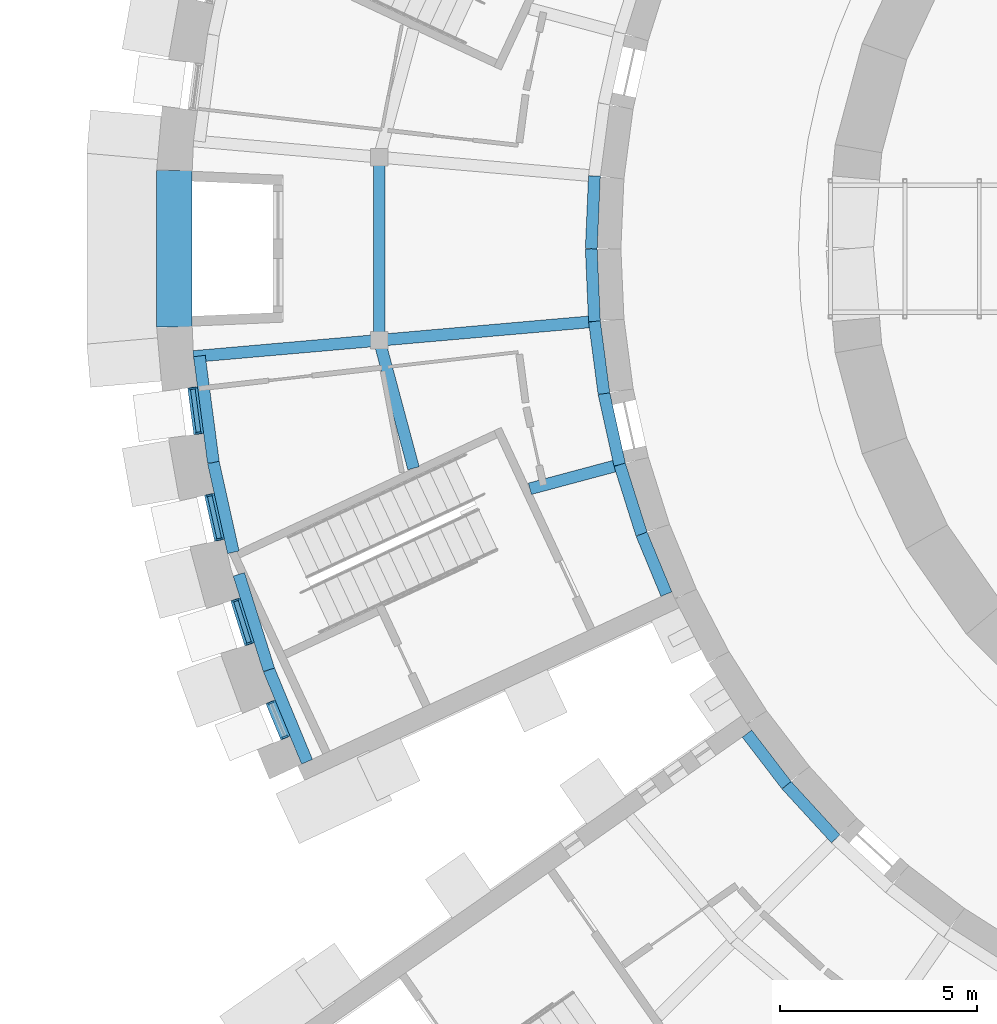
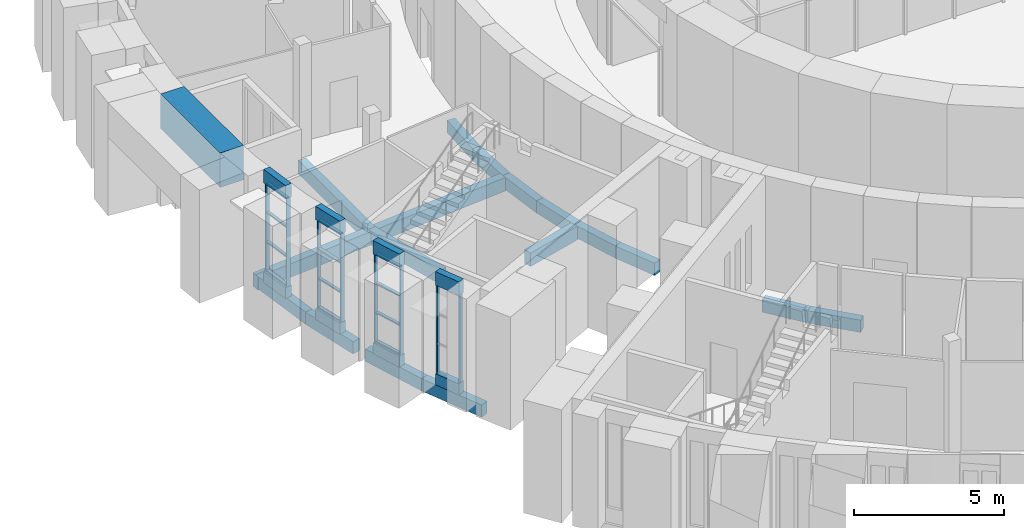
# One storey, part 6 of 85: 26 beams, 20 members, 4 elements without a shape of their own.
"""IFC4 building model written with IfcOpenShell, lengths in metres."""

from ifc_helpers import new_model, si_unit, direction, frame, origin, origin_2d, place, context, subcontext, project, spatial, rectangle, extrude, material, layer, layer_set, material_profile, profile_set, type_object, element, aggregate, save


model = new_model("IFC4")

# Units and contexts
model_context = context("Model", 3, precision=1e-05, world=origin(), true_north=direction((0.0, 1.0)))
body_context = subcontext(model_context, "Body", "Model", "MODEL_VIEW")
ifc_project = project(units=[si_unit("LENGTHUNIT", "METRE"), si_unit("AREAUNIT", "SQUARE_METRE"), si_unit("VOLUMEUNIT", "CUBIC_METRE"), si_unit("PLANEANGLEUNIT", "RADIAN"), si_unit("MASSUNIT", "GRAM", prefix="KILO")], contexts=[model_context])

# Site, building, storey
site_placement = place(None, origin())
site = spatial("IfcSite", under=ifc_project, at=site_placement, CompositionType="ELEMENT")
building_placement = place(site_placement, origin())
building = spatial("IfcBuilding", under=site, at=building_placement, Name="Volute Hill Aquarium", CompositionType="ELEMENT")
storey_placement = place(building_placement, origin())
storey = spatial("IfcBuildingStorey", under=building, at=storey_placement, Name="L01", CompositionType="ELEMENT", Elevation=0.0)

# Beams
ifc_material_1 = material(Name="Concrete C35/45", Category="concrete")
ifc_material_profile_1 = material_profile(ifc_material_1, rectangle(XDim=0.300048828125, YDim=0.550048828125, at=origin_2d()), Name="RC beam 300x550")
ifc_profile_set_1 = profile_set([ifc_material_profile_1], Name="Concrete C35/45")
beam_type_1 = type_object("IfcBeamType", Name="Beam 300x550 C35/45", PredefinedType="BEAM", material=ifc_profile_set_1)
beam_1_placement = place(storey_placement, frame((-20.920166015625, -1.830322265625, -0.4951171875), z_axis=(-0.996194848095, -0.087154028188, 0.0), x_axis=(0.087154028188, -0.996194848095, 0.0)))
element("IfcBeam", 1, at=beam_1_placement, inside=storey, type_object=beam_type_1, Name="bm/S1/L01/rad3.4", PredefinedType="BEAM", context=body_context, shape_type="SweptSolid", body=[
    extrude(rectangle(XDim=0.300048828125, YDim=0.550048828125, at=origin_2d()), origin(), (0.0, 0.0, 1.0), 5.625),
])
beam_2_placement = place(storey_placement, frame((-26.523681640625, -2.320556640625, -0.4951171875), z_axis=(-0.996193717496, -0.087166950281, 0.0), x_axis=(0.087166950281, -0.996193717496, 0.0)))
element("IfcBeam", 2, at=beam_2_placement, inside=storey, type_object=beam_type_1, Name="bm/S1/L01/rad3.5", PredefinedType="BEAM", context=body_context, shape_type="SweptSolid", body=[
    extrude(rectangle(XDim=0.300048828125, YDim=0.550048828125, at=origin_2d()), origin(), (0.0, 0.0, 1.0), 4.72509765625),
])
beam_3_placement = place(storey_placement, frame((-20.284423828125, -5.435302734375, -0.4951171875), z_axis=(-0.965945009114, -0.258747443212, 0.0), x_axis=(0.258747443212, -0.965945009114, 0.0)))
element("IfcBeam", 3, at=beam_3_placement, inside=storey, type_object=beam_type_1, Name="bm/S1/L01/rad4.6", PredefinedType="BEAM", context=body_context, shape_type="SweptSolid", body=[
    extrude(rectangle(XDim=0.300048828125, YDim=0.550048828125, at=origin_2d()), origin(), (0.0, 0.0, 1.0), 2.507080078125),
])
beam_4_placement = place(storey_placement, frame((-26.523681640625, 2.320556640625, -0.4951171875), z_axis=(0.0, -1.0, 0.0), x_axis=(1.0, 0.0, 0.0)))
element("IfcBeam", 4, at=beam_4_placement, inside=storey, type_object=beam_type_1, Name="bm/S1/L01/ring1.8", PredefinedType="BEAM", context=body_context, shape_type="SweptSolid", body=[
    extrude(rectangle(XDim=0.300048828125, YDim=0.550048828125, at=origin_2d()), origin(), (0.0, 0.0, 1.0), 4.64111328125),
])
beam_5_placement = place(storey_placement, frame((-26.523681640625, -2.320556640625, -0.4951171875), z_axis=(0.258807570436, -0.965928900844, 0.0), x_axis=(0.965928900844, 0.258807570436, 0.0)))
element("IfcBeam", 5, at=beam_5_placement, inside=storey, type_object=beam_type_1, Name="bm/S1/L01/ring1.9", PredefinedType="BEAM", context=body_context, shape_type="SweptSolid", body=[
    extrude(rectangle(XDim=0.300048828125, YDim=0.550048828125, at=origin_2d()), origin(), (0.0, 0.0, 1.0), 3.357421875),
])

# Curtain wall, members
ifc_material_2 = material(Name="Aluminium", Category="aluminium")
ifc_layer_1 = layer(ifc_material_2, 0.25)
ifc_layer_set_1 = layer_set([ifc_layer_1], Name="Curtain wall niche S1 module 1193")
curtain_wall_type_1 = type_object("IfcCurtainWallType", Name="Curtain wall niche S1 module 1193", PredefinedType="NOTDEFINED", material=ifc_layer_set_1)
curtain_wall_1_placement = place(storey_placement, origin())
curtain_wall_1 = element("IfcCurtainWall", 6, at=curtain_wall_1_placement, inside=storey, type_object=curtain_wall_type_1, Name="Curtain wall CW S1 L01 7", PredefinedType="NOTDEFINED")
ifc_material_3 = material(Name="Aluminium", Category="aluminium")
ifc_material_profile_2 = material_profile(ifc_material_3, rectangle(XDim=0.14990234375, YDim=0.050048828125, at=origin_2d()), Name="Curtain wall mullion S1 50x150")
ifc_profile_set_2 = profile_set([ifc_material_profile_2], Name="Aluminium")
member_type_1 = type_object("IfcMemberType", Name="Curtain wall mullion S1 50x150", PredefinedType="MULLION", material=ifc_profile_set_2)
member_1_placement = place(storey_placement, frame((-31.250244140625, -3.537841796875, 0.449951171875), z_axis=(0.0, 0.0, 1.0), x_axis=(0.991445220218, 0.130523466497, 0.0)))
member_1 = element("IfcMember", 7, at=member_1_placement, type_object=member_type_1, Name="CW mullion 1", PredefinedType="MULLION", context=body_context, shape_type="SweptSolid", body=[
    extrude(rectangle(XDim=0.14990234375, YDim=0.050048828125, at=origin_2d()), origin(), (0.0, 0.0, 1.0), 3.60009765625),
])
member_2_placement = place(storey_placement, frame((-31.10107421875, -4.671142578125, 0.449951171875), z_axis=(0.0, 0.0, 1.0), x_axis=(0.991445220218, 0.130523466497, 0.0)))
member_2 = element("IfcMember", 8, at=member_2_placement, type_object=member_type_1, Name="CW mullion 2", PredefinedType="MULLION", context=body_context, shape_type="SweptSolid", body=[
    extrude(rectangle(XDim=0.14990234375, YDim=0.050048828125, at=origin_2d()), origin(), (0.0, 0.0, 1.0), 3.60009765625),
])

curtain_wall_2_placement = place(storey_placement, origin())
curtain_wall_2 = element("IfcCurtainWall", 9, at=curtain_wall_2_placement, inside=storey, type_object=curtain_wall_type_1, Name="Curtain wall CW S1 L01 8", PredefinedType="NOTDEFINED")
member_3_placement = place(storey_placement, frame((-30.822998046875, -6.248046875, 0.449951171875), z_axis=(0.0, 0.0, 1.0), x_axis=(0.976292270498, 0.216456468061, 0.0)))
member_3 = element("IfcMember", 10, at=member_3_placement, type_object=member_type_1, Name="CW mullion 1", PredefinedType="MULLION", context=body_context, shape_type="SweptSolid", body=[
    extrude(rectangle(XDim=0.14990234375, YDim=0.050048828125, at=origin_2d()), origin(), (0.0, 0.0, 1.0), 3.60009765625),
])
member_4_placement = place(storey_placement, frame((-30.57568359375, -7.36376953125, 0.449951171875), z_axis=(0.0, 0.0, 1.0), x_axis=(0.976292270498, 0.216456468061, 0.0)))
member_4 = element("IfcMember", 11, at=member_4_placement, type_object=member_type_1, Name="CW mullion 2", PredefinedType="MULLION", context=body_context, shape_type="SweptSolid", body=[
    extrude(rectangle(XDim=0.14990234375, YDim=0.050048828125, at=origin_2d()), origin(), (0.0, 0.0, 1.0), 3.60009765625),
])

curtain_wall_3_placement = place(storey_placement, origin())
curtain_wall_3 = element("IfcCurtainWall", 12, at=curtain_wall_3_placement, inside=storey, type_object=curtain_wall_type_1, Name="Curtain wall CW S1 L01 9", PredefinedType="NOTDEFINED")
member_5_placement = place(storey_placement, frame((-30.1611328125, -8.91064453125, 0.449951171875), z_axis=(0.0, 0.0, 1.0), x_axis=(0.95371888454, 0.30069966623, 0.0)))
member_5 = element("IfcMember", 13, at=member_5_placement, type_object=member_type_1, Name="CW mullion 1", PredefinedType="MULLION", context=body_context, shape_type="SweptSolid", body=[
    extrude(rectangle(XDim=0.14990234375, YDim=0.050048828125, at=origin_2d()), origin(), (0.0, 0.0, 1.0), 3.60009765625),
])
member_6_placement = place(storey_placement, frame((-29.8173828125, -10.000732421875, 0.449951171875), z_axis=(0.0, 0.0, 1.0), x_axis=(0.95371888454, 0.30069966623, 0.0)))
member_6 = element("IfcMember", 14, at=member_6_placement, type_object=member_type_1, Name="CW mullion 2", PredefinedType="MULLION", context=body_context, shape_type="SweptSolid", body=[
    extrude(rectangle(XDim=0.14990234375, YDim=0.050048828125, at=origin_2d()), origin(), (0.0, 0.0, 1.0), 3.60009765625),
])

ifc_material_4 = material(Name="Aluminium", Category="aluminium")
ifc_layer_2 = layer(ifc_material_4, 0.25)
ifc_layer_set_2 = layer_set([ifc_layer_2], Name="Curtain wall niche S1 module 993")
curtain_wall_type_2 = type_object("IfcCurtainWallType", Name="Curtain wall niche S1 module 993", PredefinedType="NOTDEFINED", material=ifc_layer_set_2)
curtain_wall_4_placement = place(storey_placement, origin())
curtain_wall_4 = element("IfcCurtainWall", 15, at=curtain_wall_4_placement, inside=storey, type_object=curtain_wall_type_2, Name="Curtain wall CW S1 L01 10", PredefinedType="NOTDEFINED")
member_7_placement = place(storey_placement, frame((-29.269775390625, -11.50537109375, 0.449951171875), z_axis=(0.0, 0.0, 1.0), x_axis=(0.923885219671, 0.382669702059, 0.0)))
member_7 = element("IfcMember", 16, at=member_7_placement, type_object=member_type_1, Name="CW mullion 1", PredefinedType="MULLION", context=body_context, shape_type="SweptSolid", body=[
    extrude(rectangle(XDim=0.14990234375, YDim=0.050048828125, at=origin_2d()), origin(), (0.0, 0.0, 1.0), 3.60009765625),
])
member_8_placement = place(storey_placement, frame((-28.9091796875, -12.37646484375, 0.449951171875), z_axis=(0.0, 0.0, 1.0), x_axis=(0.923885219671, 0.382669702059, 0.0)))
member_8 = element("IfcMember", 17, at=member_8_placement, type_object=member_type_1, Name="CW mullion 2", PredefinedType="MULLION", context=body_context, shape_type="SweptSolid", body=[
    extrude(rectangle(XDim=0.14990234375, YDim=0.050048828125, at=origin_2d()), origin(), (0.0, 0.0, 1.0), 3.60009765625),
])
aggregate(curtain_wall_4, [member_7, member_8])

# Member
ifc_material_5 = material(Name="Aluminium", Category="aluminium")
ifc_material_profile_3 = material_profile(ifc_material_5, rectangle(XDim=0.1201171875, YDim=0.050048828125, at=origin_2d()), Name="Curtain wall transom S1 50x120")
ifc_profile_set_3 = profile_set([ifc_material_profile_3], Name="Aluminium")
member_type_2 = type_object("IfcMemberType", Name="Curtain wall transom S1 50x120", PredefinedType="USERDEFINED", material=ifc_profile_set_3)
member_9_placement = place(storey_placement, frame((-31.2470703125, -3.562744140625, 0.47509765625), z_axis=(0.130466070399, -0.991452774707, 0.0), x_axis=(0.991452774707, 0.130466070399, 0.0)))
member_9 = element("IfcMember", 18, at=member_9_placement, type_object=member_type_2, Name="CW transom 1.1", ObjectType="TRANSOM", PredefinedType="USERDEFINED", context=body_context, shape_type="SweptSolid", body=[
    extrude(rectangle(XDim=0.1201171875, YDim=0.050048828125, at=origin_2d()), origin(), (0.0, 0.0, 1.0), 1.0927734375),
])

member_10_placement = place(storey_placement, frame((-31.2470703125, -3.562744140625, 1.64990234375), z_axis=(0.130466070399, -0.991452774707, 0.0), x_axis=(0.991452774707, 0.130466070399, 0.0)))
member_10 = element("IfcMember", 19, at=member_10_placement, type_object=member_type_2, Name="CW transom 1.2", ObjectType="TRANSOM", PredefinedType="USERDEFINED", context=body_context, shape_type="SweptSolid", body=[
    extrude(rectangle(XDim=0.1201171875, YDim=0.050048828125, at=origin_2d()), origin(), (0.0, 0.0, 1.0), 1.0927734375),
])

member_11_placement = place(storey_placement, frame((-31.2470703125, -3.562744140625, 2.85009765625), z_axis=(0.130466070399, -0.991452774707, 0.0), x_axis=(0.991452774707, 0.130466070399, 0.0)))
member_11 = element("IfcMember", 20, at=member_11_placement, type_object=member_type_2, Name="CW transom 1.3", ObjectType="TRANSOM", PredefinedType="USERDEFINED", context=body_context, shape_type="SweptSolid", body=[
    extrude(rectangle(XDim=0.1201171875, YDim=0.050048828125, at=origin_2d()), origin(), (0.0, 0.0, 1.0), 1.0927734375),
])

member_12_placement = place(storey_placement, frame((-31.2470703125, -3.562744140625, 4.02490234375), z_axis=(0.130466070399, -0.991452774707, 0.0), x_axis=(0.991452774707, 0.130466070399, 0.0)))
member_12 = element("IfcMember", 21, at=member_12_placement, type_object=member_type_2, Name="CW transom 1.4", ObjectType="TRANSOM", PredefinedType="USERDEFINED", context=body_context, shape_type="SweptSolid", body=[
    extrude(rectangle(XDim=0.1201171875, YDim=0.050048828125, at=origin_2d()), origin(), (0.0, 0.0, 1.0), 1.0927734375),
])

aggregate(curtain_wall_1, [member_1, member_2, member_9, member_10, member_11, member_12])

member_13_placement = place(storey_placement, frame((-30.817626953125, -6.2724609375, 0.47509765625), z_axis=(0.216480993318, -0.976286832612, 0.0), x_axis=(0.976286832612, 0.216480993318, 0.0)))
member_13 = element("IfcMember", 22, at=member_13_placement, type_object=member_type_2, Name="CW transom 1.1", ObjectType="TRANSOM", PredefinedType="USERDEFINED", context=body_context, shape_type="SweptSolid", body=[
    extrude(rectangle(XDim=0.1201171875, YDim=0.050048828125, at=origin_2d()), origin(), (0.0, 0.0, 1.0), 1.0927734375),
])

member_14_placement = place(storey_placement, frame((-30.817626953125, -6.2724609375, 1.64990234375), z_axis=(0.216480993318, -0.976286832612, 0.0), x_axis=(0.976286832612, 0.216480993318, 0.0)))
member_14 = element("IfcMember", 23, at=member_14_placement, type_object=member_type_2, Name="CW transom 1.2", ObjectType="TRANSOM", PredefinedType="USERDEFINED", context=body_context, shape_type="SweptSolid", body=[
    extrude(rectangle(XDim=0.1201171875, YDim=0.050048828125, at=origin_2d()), origin(), (0.0, 0.0, 1.0), 1.0927734375),
])

member_15_placement = place(storey_placement, frame((-30.817626953125, -6.2724609375, 2.85009765625), z_axis=(0.216480993318, -0.976286832612, 0.0), x_axis=(0.976286832612, 0.216480993318, 0.0)))
member_15 = element("IfcMember", 24, at=member_15_placement, type_object=member_type_2, Name="CW transom 1.3", ObjectType="TRANSOM", PredefinedType="USERDEFINED", context=body_context, shape_type="SweptSolid", body=[
    extrude(rectangle(XDim=0.1201171875, YDim=0.050048828125, at=origin_2d()), origin(), (0.0, 0.0, 1.0), 1.0927734375),
])

member_16_placement = place(storey_placement, frame((-30.817626953125, -6.2724609375, 4.02490234375), z_axis=(0.216480993318, -0.976286832612, 0.0), x_axis=(0.976286832612, 0.216480993318, 0.0)))
member_16 = element("IfcMember", 25, at=member_16_placement, type_object=member_type_2, Name="CW transom 1.4", ObjectType="TRANSOM", PredefinedType="USERDEFINED", context=body_context, shape_type="SweptSolid", body=[
    extrude(rectangle(XDim=0.1201171875, YDim=0.050048828125, at=origin_2d()), origin(), (0.0, 0.0, 1.0), 1.0927734375),
])

aggregate(curtain_wall_2, [member_3, member_4, member_13, member_14, member_15, member_16])

member_17_placement = place(storey_placement, frame((-30.153564453125, -8.934326171875, 0.47509765625), z_axis=(0.300639603165, -0.953737819848, 0.0), x_axis=(0.953737819848, 0.300639603165, 0.0)))
member_17 = element("IfcMember", 26, at=member_17_placement, type_object=member_type_2, Name="CW transom 1.1", ObjectType="TRANSOM", PredefinedType="USERDEFINED", context=body_context, shape_type="SweptSolid", body=[
    extrude(rectangle(XDim=0.1201171875, YDim=0.050048828125, at=origin_2d()), origin(), (0.0, 0.0, 1.0), 1.093017578125),
])

member_18_placement = place(storey_placement, frame((-30.153564453125, -8.934326171875, 1.64990234375), z_axis=(0.300639603165, -0.953737819848, 0.0), x_axis=(0.953737819848, 0.300639603165, 0.0)))
member_18 = element("IfcMember", 27, at=member_18_placement, type_object=member_type_2, Name="CW transom 1.2", ObjectType="TRANSOM", PredefinedType="USERDEFINED", context=body_context, shape_type="SweptSolid", body=[
    extrude(rectangle(XDim=0.1201171875, YDim=0.050048828125, at=origin_2d()), origin(), (0.0, 0.0, 1.0), 1.093017578125),
])

member_19_placement = place(storey_placement, frame((-30.153564453125, -8.934326171875, 2.85009765625), z_axis=(0.300639603165, -0.953737819848, 0.0), x_axis=(0.953737819848, 0.300639603165, 0.0)))
member_19 = element("IfcMember", 28, at=member_19_placement, type_object=member_type_2, Name="CW transom 1.3", ObjectType="TRANSOM", PredefinedType="USERDEFINED", context=body_context, shape_type="SweptSolid", body=[
    extrude(rectangle(XDim=0.1201171875, YDim=0.050048828125, at=origin_2d()), origin(), (0.0, 0.0, 1.0), 1.093017578125),
])

member_20_placement = place(storey_placement, frame((-30.153564453125, -8.934326171875, 4.02490234375), z_axis=(0.300639603165, -0.953737819848, 0.0), x_axis=(0.953737819848, 0.300639603165, 0.0)))
member_20 = element("IfcMember", 29, at=member_20_placement, type_object=member_type_2, Name="CW transom 1.4", ObjectType="TRANSOM", PredefinedType="USERDEFINED", context=body_context, shape_type="SweptSolid", body=[
    extrude(rectangle(XDim=0.1201171875, YDim=0.050048828125, at=origin_2d()), origin(), (0.0, 0.0, 1.0), 1.093017578125),
])

aggregate(curtain_wall_3, [member_5, member_6, member_17, member_18, member_19, member_20])

# Beams
ifc_material_6 = material(Name="Concrete C35/45", Category="concrete")
ifc_material_profile_4 = material_profile(ifc_material_6, rectangle(XDim=0.300048828125, YDim=0.5, at=origin_2d()), Name="RC edge beam 300x500")
ifc_profile_set_4 = profile_set([ifc_material_profile_4], Name="Concrete C35/45")
beam_type_2 = type_object("IfcBeamType", Name="Edge beam 300x500 C35/45", PredefinedType="BEAM", material=ifc_profile_set_4)
for number, where, z_axis, x_axis, name in (
    (30, (-21.069580078125, 1.843505859375, -0.469970703125), (-0.043661145699, -0.999046397499, 0.0), (0.999046397499, -0.043661145699, 0.0), "bm/S1/L01/edgeD.14"),
    (31, (-21.150146484375, 0.0, -0.469970703125), (0.043661145699, -0.999046397499, 0.0), (0.999046397499, 0.043661145699, 0.0), "bm/S1/L01/edgeD.15"),
):
    element("IfcBeam", number, at=place(storey_placement, frame(where, z_axis=z_axis, x_axis=x_axis)), inside=storey, type_object=beam_type_2, Name=name, PredefinedType="BEAM", context=body_context, shape_type="SweptSolid", body=[
        extrude(rectangle(XDim=0.300048828125, YDim=0.5, at=origin_2d()), origin(), (0.0, 0.0, 1.0), 1.84521484375),
    ])
beam_6_placement = place(storey_placement, frame((-21.069580078125, -1.843505859375, -0.469970703125), z_axis=(0.130481898303, -0.991450691772, 0.0), x_axis=(0.991450691772, 0.130481898303, 0.0)))
element("IfcBeam", 32, at=beam_6_placement, inside=storey, type_object=beam_type_2, Name="bm/S1/L01/edgeD.16", PredefinedType="BEAM", context=body_context, shape_type="SweptSolid", body=[
    extrude(rectangle(XDim=0.300048828125, YDim=0.5, at=origin_2d()), origin(), (0.0, 0.0, 1.0), 1.844970703125),
])
for number, where, z_axis, x_axis, name in (
    (33, (-20.828857421875, -3.672607421875, -0.469970703125), (0.216454127071, -0.976292789523, 0.0), (0.976292789523, 0.216454127071, 0.0), "bm/S1/L01/edgeD.17"),
    (34, (-20.429443359375, -5.47412109375, -0.469970703125), (0.300745072312, -0.953704567191, 0.0), (0.953704567191, 0.300745072312, 0.0), "bm/S1/L01/edgeD.18"),
):
    element("IfcBeam", number, at=place(storey_placement, frame(where, z_axis=z_axis, x_axis=x_axis)), inside=storey, type_object=beam_type_2, Name=name, PredefinedType="BEAM", context=body_context, shape_type="SweptSolid", body=[
        extrude(rectangle(XDim=0.300048828125, YDim=0.5, at=origin_2d()), origin(), (0.0, 0.0, 1.0), 1.84521484375),
    ])
beam_7_placement = place(storey_placement, frame((-19.87451171875, -7.23388671875, -0.469970703125), z_axis=(0.382675169935, -0.923882954879, 0.0), x_axis=(0.923882954879, 0.382675169935, 0.0)))
element("IfcBeam", 35, at=beam_7_placement, inside=storey, type_object=beam_type_2, Name="bm/S1/L01/edgeD.19", PredefinedType="BEAM", context=body_context, shape_type="SweptSolid", body=[
    extrude(rectangle(XDim=0.300048828125, YDim=0.5, at=origin_2d()), origin(), (0.0, 0.0, 1.0), 1.644775390625),
])
beam_8_placement = place(storey_placement, frame((-31.0810546875, -2.71923828125, -0.469970703125), z_axis=(0.130512520762, -0.991446661159, 0.0), x_axis=(0.991446661159, 0.130512520762, 0.0)))
element("IfcBeam", 36, at=beam_8_placement, inside=storey, type_object=beam_type_2, Name="bm/S1/L01/edgeO.24", PredefinedType="BEAM", context=body_context, shape_type="SweptSolid", body=[
    extrude(rectangle(XDim=0.300048828125, YDim=0.5, at=origin_2d()), origin(), (0.0, 0.0, 1.0), 2.7216796875),
])
beam_9_placement = place(storey_placement, frame((-30.725830078125, -5.417724609375, -0.469970703125), z_axis=(0.216442353874, -0.976295399687, 0.0), x_axis=(0.976295399687, 0.216442353874, 0.0)))
element("IfcBeam", 37, at=beam_9_placement, inside=storey, type_object=beam_type_2, Name="bm/S1/L01/edgeO.25", PredefinedType="BEAM", context=body_context, shape_type="SweptSolid", body=[
    extrude(rectangle(XDim=0.300048828125, YDim=0.5, at=origin_2d()), origin(), (0.0, 0.0, 1.0), 2.330322265625),
])
beam_10_placement = place(storey_placement, frame((-30.080810546875, -8.251953125, -0.469970703125), z_axis=(0.300619958579, -0.953744012041, 0.0), x_axis=(0.953744012041, 0.300619958579, 0.0)))
element("IfcBeam", 38, at=beam_10_placement, inside=storey, type_object=beam_type_2, Name="bm/S1/L01/edgeO.26", PredefinedType="BEAM", context=body_context, shape_type="SweptSolid", body=[
    extrude(rectangle(XDim=0.300048828125, YDim=0.5, at=origin_2d()), origin(), (0.0, 0.0, 1.0), 2.536376953125),
])
beam_11_placement = place(storey_placement, frame((-29.318359375, -10.6708984375, -0.469970703125), z_axis=(0.382696651633, -0.9238740568, 0.0), x_axis=(0.9238740568, 0.382696651633, 0.0)))
element("IfcBeam", 39, at=beam_11_placement, inside=storey, type_object=beam_type_2, Name="bm/S1/L01/edgeO.27", PredefinedType="BEAM", context=body_context, shape_type="SweptSolid", body=[
    extrude(rectangle(XDim=0.300048828125, YDim=0.5, at=origin_2d()), origin(), (0.0, 0.0, 1.0), 2.521728515625),
])
beam_12_placement = place(storey_placement, frame((-17.203369140625, -12.2900390625, -0.510009765625), z_axis=(0.608820957391, -0.793307659009, 0.0), x_axis=(0.793307659009, 0.608820957391, 0.0)))
element("IfcBeam", 40, at=beam_12_placement, inside=storey, type_object=beam_type_2, Name="bm/S2/L01/edgeD.12", PredefinedType="BEAM", context=body_context, shape_type="SweptSolid", body=[
    extrude(rectangle(XDim=0.300048828125, YDim=0.5, at=origin_2d()), origin(), (0.0, 0.0, 1.0), 1.64501953125),
])
beam_13_placement = place(storey_placement, frame((-16.201904296875, -13.594970703125, -0.510009765625), z_axis=(0.675604786356, -0.73726397759, 0.0), x_axis=(0.73726397759, 0.675604786356, 0.0)))
element("IfcBeam", 41, at=beam_13_placement, inside=storey, type_object=beam_type_2, Name="bm/S2/L01/edgeD.13", PredefinedType="BEAM", context=body_context, shape_type="SweptSolid", body=[
    extrude(rectangle(XDim=0.300048828125, YDim=0.5, at=origin_2d()), origin(), (0.0, 0.0, 1.0), 1.84521484375),
])
ifc_material_7 = material(Name="Concrete C35/45", Category="concrete")
ifc_material_profile_5 = material_profile(ifc_material_7, rectangle(XDim=0.25, YDim=0.550048828125, at=origin_2d()), Name="RC beam 250x550")
ifc_profile_set_5 = profile_set([ifc_material_profile_5], Name="Concrete C35/45")
beam_type_3 = type_object("IfcBeamType", Name="Niche head beam RC 250x550 C35/45", PredefinedType="BEAM", material=ifc_profile_set_5)
for number, where, z_axis, x_axis, name in (
    (42, (-31.253662109375, -3.51318359375, 4.324951171875), (0.13058157894, -0.991437568, 0.0), (0.991437568, 0.13058157894, 0.0), "Niche head beam OWB S1 L01 7"),
    (43, (-30.828369140625, -6.2236328125, 4.324951171875), (0.216345278853, -0.976316915923, 0.0), (0.976316915923, 0.216345278853, 0.0), "Niche head beam OWB S1 L01 8"),
    (44, (-30.168701171875, -8.88671875, 4.324951171875), (0.300651374737, -0.953734109104, 0.0), (0.953734109104, 0.300651374737, 0.0), "Niche head beam OWB S1 L01 9"),
):
    element("IfcBeam", number, at=place(storey_placement, frame(where, z_axis=z_axis, x_axis=x_axis)), inside=storey, type_object=beam_type_3, Name=name, PredefinedType="BEAM", context=body_context, shape_type="SweptSolid", body=[
        extrude(rectangle(XDim=0.25, YDim=0.550048828125, at=origin_2d()), origin(), (0.0, 0.0, 1.0), 1.19287109375),
    ])
beam_14_placement = place(storey_placement, frame((-29.279296875, -11.482421875, 4.324951171875), z_axis=(0.382728331332, -0.923860933472, 0.0), x_axis=(0.923860933472, 0.382728331332, 0.0)))
element("IfcBeam", 45, at=beam_14_placement, inside=storey, type_object=beam_type_3, Name="Niche head beam OWB S1 L01 10", PredefinedType="BEAM", context=body_context, shape_type="SweptSolid", body=[
    extrude(rectangle(XDim=0.25, YDim=0.550048828125, at=origin_2d()), origin(), (0.0, 0.0, 1.0), 0.99267578125),
])
ifc_material_8 = material(Name="Concrete C35/45", Category="concrete")
ifc_material_profile_6 = material_profile(ifc_material_8, rectangle(XDim=0.25, YDim=0.449951171875, at=origin_2d()), Name="RC beam 250x450")
ifc_profile_set_6 = profile_set([ifc_material_profile_6], Name="Concrete C35/45")
beam_type_4 = type_object("IfcBeamType", Name="Niche sill beam RC 250x450 C35/45", PredefinedType="BEAM", material=ifc_profile_set_6)
for number, where, z_axis, x_axis, name in (
    (46, (-31.253662109375, -3.51318359375, 0.22509765625), (0.13058157894, -0.991437568, 0.0), (0.991437568, 0.13058157894, 0.0), "Niche sill beam OWB S1 L01 7"),
    (47, (-30.828369140625, -6.2236328125, 0.22509765625), (0.216345278853, -0.976316915923, 0.0), (0.976316915923, 0.216345278853, 0.0), "Niche sill beam OWB S1 L01 8"),
    (48, (-30.168701171875, -8.88671875, 0.22509765625), (0.300651374737, -0.953734109104, 0.0), (0.953734109104, 0.300651374737, 0.0), "Niche sill beam OWB S1 L01 9"),
):
    element("IfcBeam", number, at=place(storey_placement, frame(where, z_axis=z_axis, x_axis=x_axis)), inside=storey, type_object=beam_type_4, Name=name, PredefinedType="BEAM", context=body_context, shape_type="SweptSolid", body=[
        extrude(rectangle(XDim=0.25, YDim=0.449951171875, at=origin_2d()), origin(), (0.0, 0.0, 1.0), 1.19287109375),
    ])
beam_15_placement = place(storey_placement, frame((-29.279296875, -11.482421875, 0.22509765625), z_axis=(0.382728331332, -0.923860933472, 0.0), x_axis=(0.923860933472, 0.382728331332, 0.0)))
element("IfcBeam", 49, at=beam_15_placement, inside=storey, type_object=beam_type_4, Name="Niche sill beam OWB S1 L01 10", PredefinedType="BEAM", context=body_context, shape_type="SweptSolid", body=[
    extrude(rectangle(XDim=0.25, YDim=0.449951171875, at=origin_2d()), origin(), (0.0, 0.0, 1.0), 0.99267578125),
])
ifc_material_9 = material(Name="Concrete C35/45", Category="concrete")
ifc_material_profile_7 = material_profile(ifc_material_9, rectangle(XDim=0.89990234375, YDim=1.39990234375, at=origin_2d()), Name="RC beam 900x1400")
ifc_profile_set_7 = profile_set([ifc_material_profile_7], Name="Concrete C35/45")
beam_type_5 = type_object("IfcBeamType", Name="Portal lintel beam RC 900x1400 C35/45", PredefinedType="BEAM", material=ifc_profile_set_7)
beam_16_placement = place(storey_placement, frame((-31.71337890625, 1.981689453125, 3.89990234375), z_axis=(0.0, -1.0, 0.0), x_axis=(1.0, 0.0, 0.0)))
element("IfcBeam", 50, at=beam_16_placement, inside=storey, type_object=beam_type_5, Name="Portal lintel beam PLB S1 L01", PredefinedType="BEAM", context=body_context, shape_type="SweptSolid", body=[
    extrude(rectangle(XDim=0.89990234375, YDim=1.39990234375, at=origin_2d()), origin(), (0.0, 0.0, 1.0), 3.96337890625),
])

save(model, "model.ifc")
